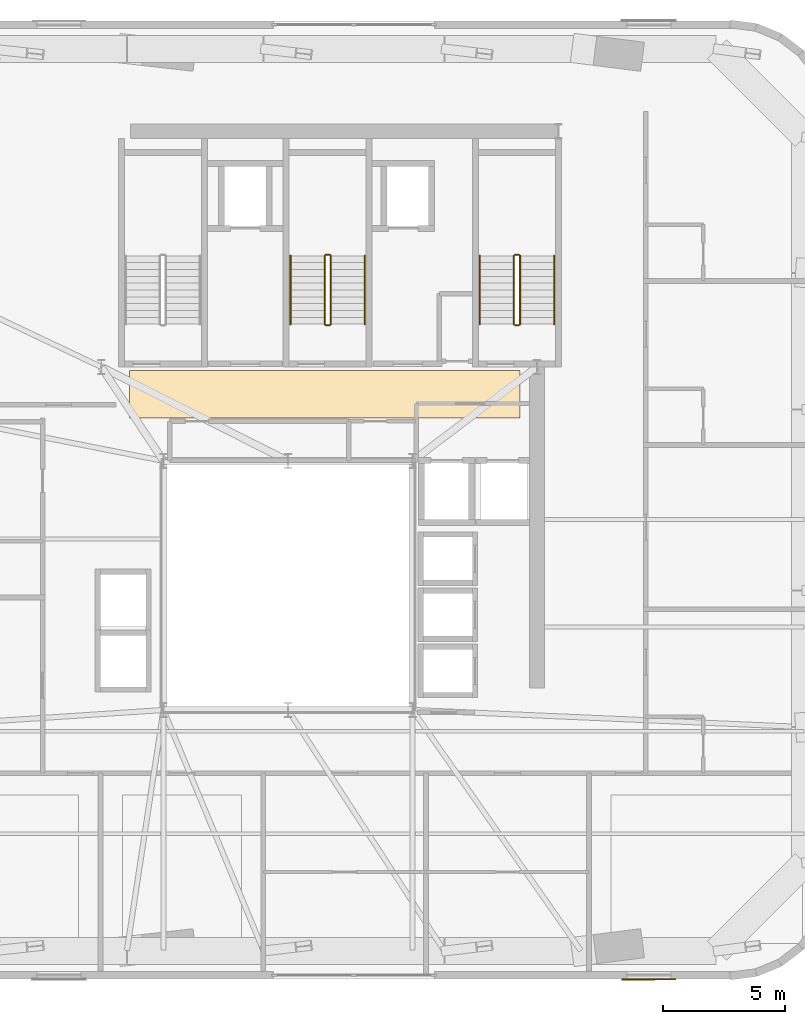
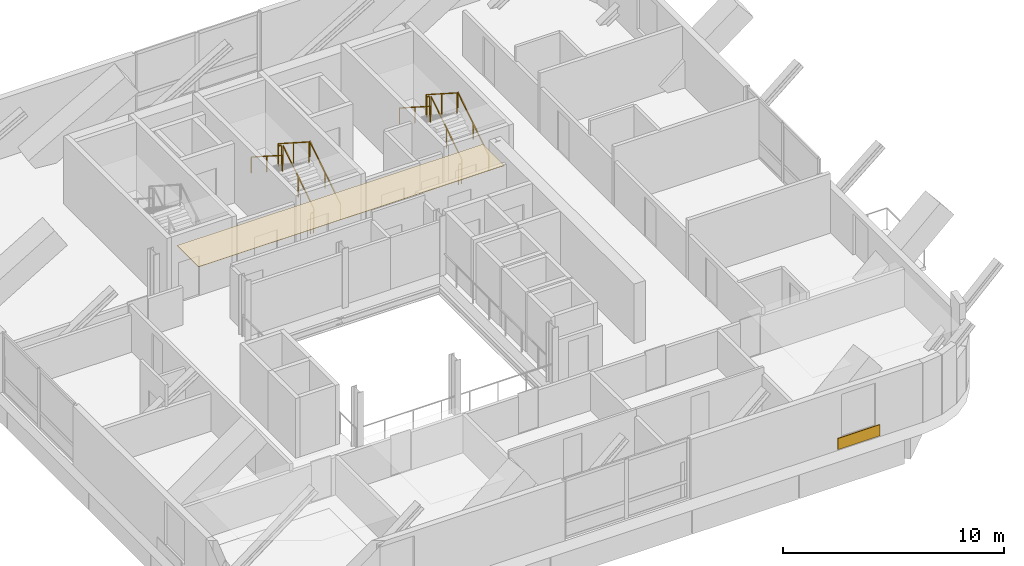
# One storey, part 11 of 12: 12 railings, 2 coverings.
"""IFC4 building model written with IfcOpenShell, lengths in metres."""

from ifc_helpers import new_model, si_unit, direction, frame, origin, origin_2d, place, context, subcontext, project, spatial, polyline, rectangle, outline, extrude, source, transform, mapped, material, layer, layer_set, type_object, element, save


model = new_model("IFC4")

# Units and contexts
model_context = context("Model", 3, precision=1e-05, world=origin(), true_north=direction((0.0, 1.0)))
body_context = subcontext(model_context, "Body", "Model", "MODEL_VIEW")
ifc_project = project(units=[si_unit("LENGTHUNIT", "METRE"), si_unit("AREAUNIT", "SQUARE_METRE"), si_unit("VOLUMEUNIT", "CUBIC_METRE"), si_unit("PLANEANGLEUNIT", "RADIAN"), si_unit("MASSUNIT", "GRAM", prefix="KILO")], contexts=[model_context])

# Site, building, storey
site_placement = place(None, origin())
site = spatial("IfcSite", under=ifc_project, at=site_placement, CompositionType="ELEMENT")
building_placement = place(site_placement, origin())
building = spatial("IfcBuilding", under=site, at=building_placement, Name="Vardaveli Station Tower", CompositionType="ELEMENT")
storey_placement = place(building_placement, frame((0.0, 0.0, 282.199951171875)))
storey = spatial("IfcBuildingStorey", under=building, at=storey_placement, Name="L72", CompositionType="ELEMENT", Elevation=282.199951171875)

# Coverings
ifc_material_1 = material(Name="Perforated acoustic mineral ceiling")
ifc_layer_1 = layer(ifc_material_1, 0.02001953125, Name="Perforated acoustic mineral ceiling")
ifc_layer_set_1 = layer_set([ifc_layer_1], Name="Perforated acoustic mineral ceiling")
covering_type_1 = type_object("IfcCoveringType", Name="COV-CEIL-AC20", PredefinedType="CEILING", material=ifc_layer_set_1)
covering_1_placement = place(storey_placement, frame((0.0, 0.0, 3.28515625)))
element("IfcCovering", 1, at=covering_1_placement, inside=storey, type_object=covering_type_1, Name="CEIL-L72-4", PredefinedType="CEILING", context=body_context, shape_type="SweptSolid", body=[
    extrude(outline(polyline([(29.800048828125, 28.550048828125), (45.800048828125, 28.550048828125), (45.800048828125, 30.5), (29.800048828125, 30.5), (29.800048828125, 28.550048828125)])), origin(), (0.0, 0.0, 1.0), 0.019775390625),
])
ifc_material_2 = material(Name="Ventilated honed travertine stone cladding", Category="masonry")
ifc_layer_2 = layer(ifc_material_2, 0.044921875, Name="Ventilated honed travertine stone cladding")
ifc_layer_set_2 = layer_set([ifc_layer_2], Name="Ventilated honed travertine stone cladding")
covering_type_2 = type_object("IfcCoveringType", Name="COV-CLAD-TR45", PredefinedType="CLADDING", material=ifc_layer_set_2)
shared_shape_1 = source(origin(), body_context, "Body", "SweptSolid", [
    extrude(rectangle(XDim=2.199951171875, YDim=0.044921875, at=origin_2d()), origin(), (0.0, 0.0, 1.0), 0.6201171875),
])
covering_2_placement = place(storey_placement, frame((51.074951171875, 5.5654296875, 0.070068359375), z_axis=(0.0, 0.0, 1.0), x_axis=(1.0, 0.0, 0.0)))
element("IfcCovering", 2, at=covering_2_placement, inside=storey, type_object=covering_type_2, Name="CLD-TR-L72-S", PredefinedType="CLADDING", context=body_context, shape_type="MappedRepresentation", body=[
    mapped(shared_shape_1, transform((0.0, 0.0, 0.0), scale=1.0)),
])

# Railings
ifc_material_3 = material(Name="Brushed AISI 316 stainless steel", Category="steel")
railing_type_1 = type_object("IfcRailingType", Name="RL-GUARD-1150", PredefinedType="GUARDRAIL", material=ifc_material_3)
shared_shape_2 = source(origin(), body_context, "Body", "SweptSolid", [
    extrude(rectangle(XDim=0.048095703125, YDim=0.048095703125, at=origin_2d()), frame((0.0, 0.0, 1.1259765625), z_axis=(-1.0, 0.0, 0.0), x_axis=(0.0, -1.0, 0.0)), (0.0, 0.0, 1.0), 0.14990234375),
    extrude(rectangle(XDim=0.0419921875, YDim=0.0419921875, at=origin_2d()), origin(), (0.0, 0.0, 1.0), 1.101806640625),
    extrude(rectangle(XDim=0.0419921875, YDim=0.0419921875, at=origin_2d()), frame((-0.14990234375, 0.0, 0.0)), (0.0, 0.0, 1.0), 1.101806640625),
])
for number, where, name in (
    (3, (38.0, 35.25, 1.97509765625), "L72 ST-2 stair guard 2"),
    (4, (38.0, 32.35009765625, 0.0), "L72 ST-2 stair guard 4"),
    (5, (45.75, 35.25, 1.97509765625), "L72 ST-3 stair guard 2"),
    (6, (45.75, 32.35009765625, 0.0), "L72 ST-3 stair guard 4"),
):
    element("IfcRailing", number, at=place(storey_placement, frame(where)), inside=storey, type_object=railing_type_1, Name=name, PredefinedType="GUARDRAIL", context=body_context, shape_type="MappedRepresentation", body=[
        mapped(shared_shape_2, transform((0.0, 0.0, 0.0), scale=1.0)),
    ])
shared_shape_3 = source(origin(), body_context, "Body", "SweptSolid", [
    extrude(rectangle(XDim=0.048095703125, YDim=0.048095703125, at=origin_2d()), frame((0.0, 0.0, 1.1259765625), z_axis=(0.0, 0.841809871826, 0.539774156196), x_axis=(-1.0, 0.0, 0.0)), (0.0, 0.0, 1.0), 3.326171875),
    extrude(rectangle(XDim=0.0419921875, YDim=0.0419921875, at=origin_2d()), origin(), (0.0, 0.0, 1.0), 1.101806640625),
    extrude(rectangle(XDim=0.0419921875, YDim=0.0419921875, at=origin_2d()), frame((0.0, 1.39990234375, 0.897705078125)), (0.0, 0.0, 1.0), 1.101806640625),
    extrude(rectangle(XDim=0.0419921875, YDim=0.0419921875, at=origin_2d()), frame((0.0, 2.800048828125, 1.79541015625)), (0.0, 0.0, 1.0), 1.101806640625),
])
for number, where, name in (
    (7, (38.050048828125, 32.39990234375, 0.1796875), "L72 ST-2 stair guard 1"),
    (8, (45.800048828125, 32.39990234375, 0.1796875), "L72 ST-3 stair guard 1"),
):
    element("IfcRailing", number, at=place(storey_placement, frame(where)), inside=storey, type_object=railing_type_1, Name=name, PredefinedType="GUARDRAIL", context=body_context, shape_type="MappedRepresentation", body=[
        mapped(shared_shape_3, transform((0.0, 0.0, 0.0), scale=1.0)),
    ])
shared_shape_4 = source(origin(), body_context, "Body", "SweptSolid", [
    extrude(rectangle(XDim=0.048095703125, YDim=0.048095703125, at=origin_2d()), frame((0.0, 0.0, 1.1259765625), z_axis=(0.0, -0.841809871826, 0.539774156196), x_axis=(1.0, 0.0, 0.0)), (0.0, 0.0, 1.0), 3.326171875),
    extrude(rectangle(XDim=0.0419921875, YDim=0.0419921875, at=origin_2d()), origin(), (0.0, 0.0, 1.0), 1.101806640625),
    extrude(rectangle(XDim=0.0419921875, YDim=0.0419921875, at=origin_2d()), frame((0.0, -1.39990234375, 0.897705078125)), (0.0, 0.0, 1.0), 1.101806640625),
    extrude(rectangle(XDim=0.0419921875, YDim=0.0419921875, at=origin_2d()), frame((0.0, -2.800048828125, 1.79541015625)), (0.0, 0.0, 1.0), 1.101806640625),
])
for number, where, name in (
    (9, (37.800048828125, 35.199951171875, 2.154541015625), "L72 ST-2 stair guard 3"),
    (10, (45.550048828125, 35.199951171875, 2.154541015625), "L72 ST-3 stair guard 3"),
):
    element("IfcRailing", number, at=place(storey_placement, frame(where)), inside=storey, type_object=railing_type_1, Name=name, PredefinedType="GUARDRAIL", context=body_context, shape_type="MappedRepresentation", body=[
        mapped(shared_shape_4, transform((0.0, 0.0, 0.0), scale=1.0)),
    ])
railing_type_2 = type_object("IfcRailingType", Name="RL-HAND-900", PredefinedType="HANDRAIL", material=ifc_material_3)
shared_shape_5 = source(origin(), body_context, "Body", "SweptSolid", [
    extrude(rectangle(XDim=0.048095703125, YDim=0.048095703125, at=origin_2d()), frame((0.0, 0.0, 0.8759765625), z_axis=(0.0, 0.841809871826, 0.539774156196), x_axis=(-1.0, 0.0, 0.0)), (0.0, 0.0, 1.0), 3.326171875),
    extrude(rectangle(XDim=0.0419921875, YDim=0.0419921875, at=origin_2d()), origin(), (0.0, 0.0, 1.0), 0.851806640625),
    extrude(rectangle(XDim=0.0419921875, YDim=0.0419921875, at=origin_2d()), frame((0.0, 1.39990234375, 0.897705078125)), (0.0, 0.0, 1.0), 0.851806640625),
    extrude(rectangle(XDim=0.0419921875, YDim=0.0419921875, at=origin_2d()), frame((0.0, 2.800048828125, 1.79541015625)), (0.0, 0.0, 1.0), 0.851806640625),
])
for number, where, name in (
    (11, (39.449951171875, 32.39990234375, 0.1796875), "L72 ST-2 stair handrail 1"),
    (12, (47.199951171875, 32.39990234375, 0.1796875), "L72 ST-3 stair handrail 1"),
):
    element("IfcRailing", number, at=place(storey_placement, frame(where)), inside=storey, type_object=railing_type_2, Name=name, PredefinedType="HANDRAIL", context=body_context, shape_type="MappedRepresentation", body=[
        mapped(shared_shape_5, transform((0.0, 0.0, 0.0), scale=1.0)),
    ])
shared_shape_6 = source(origin(), body_context, "Body", "SweptSolid", [
    extrude(rectangle(XDim=0.048095703125, YDim=0.048095703125, at=origin_2d()), frame((0.0, 0.0, 0.8759765625), z_axis=(0.0, -0.841809871826, 0.539774156196), x_axis=(1.0, 0.0, 0.0)), (0.0, 0.0, 1.0), 3.326171875),
    extrude(rectangle(XDim=0.0419921875, YDim=0.0419921875, at=origin_2d()), origin(), (0.0, 0.0, 1.0), 0.851806640625),
    extrude(rectangle(XDim=0.0419921875, YDim=0.0419921875, at=origin_2d()), frame((0.0, -1.39990234375, 0.897705078125)), (0.0, 0.0, 1.0), 0.851806640625),
    extrude(rectangle(XDim=0.0419921875, YDim=0.0419921875, at=origin_2d()), frame((0.0, -2.800048828125, 1.79541015625)), (0.0, 0.0, 1.0), 0.851806640625),
])
for number, where, name in (
    (13, (36.39990234375, 35.199951171875, 2.154541015625), "L72 ST-2 stair handrail 2"),
    (14, (44.14990234375, 35.199951171875, 2.154541015625), "L72 ST-3 stair handrail 2"),
):
    element("IfcRailing", number, at=place(storey_placement, frame(where)), inside=storey, type_object=railing_type_2, Name=name, PredefinedType="HANDRAIL", context=body_context, shape_type="MappedRepresentation", body=[
        mapped(shared_shape_6, transform((0.0, 0.0, 0.0), scale=1.0)),
    ])

save(model, "model.ifc")
